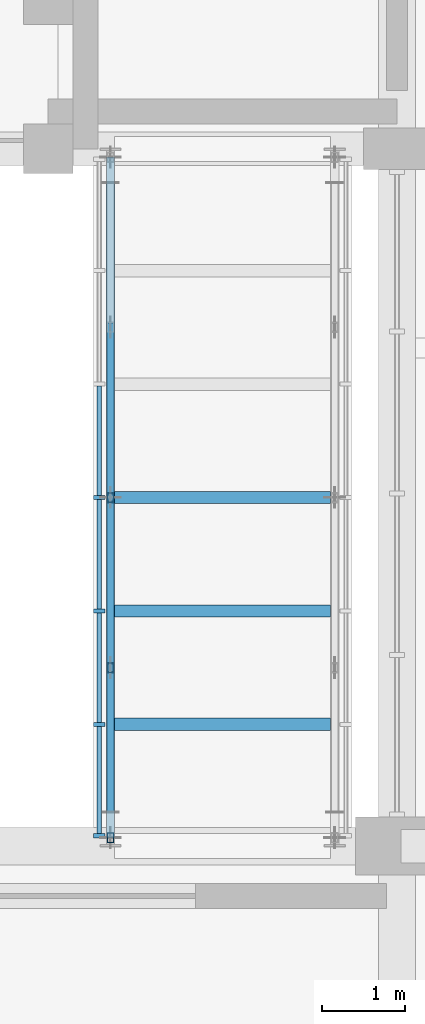
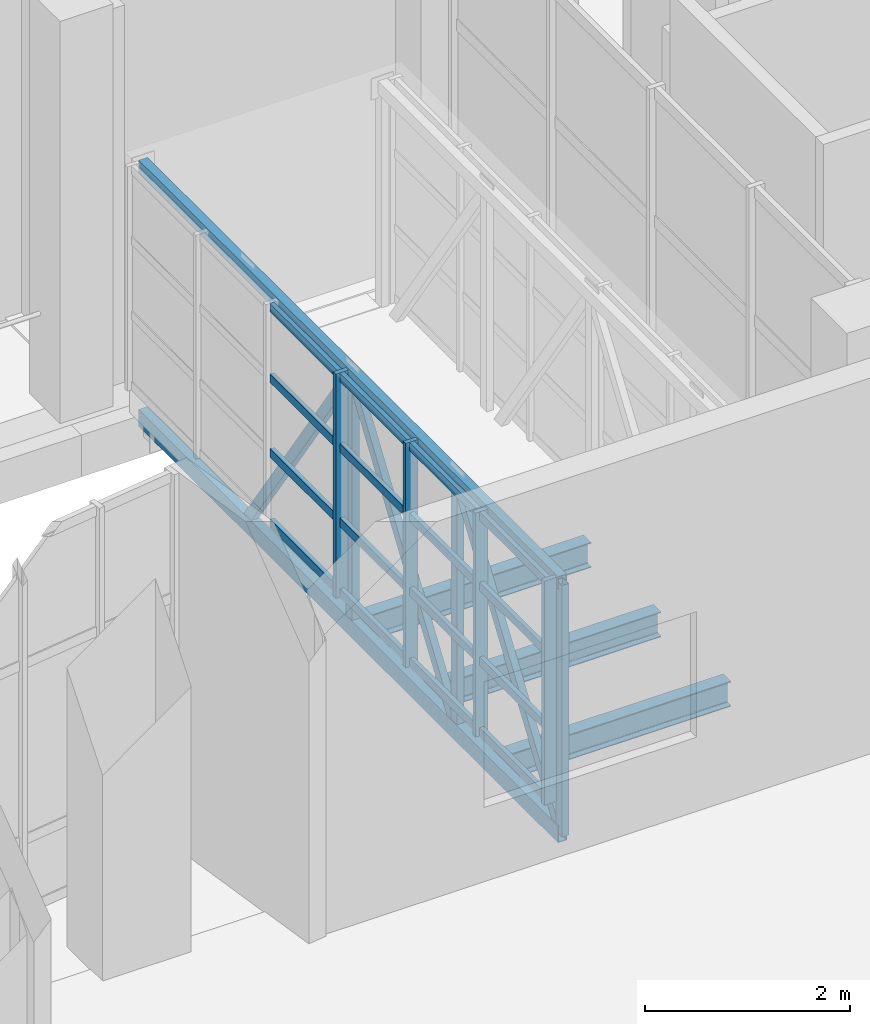
# One storey, part 5 of 86: 28 members, 3 beams, 1 element without a shape of its own.
"""IFC4 building model written with IfcOpenShell, lengths in metres."""

from ifc_helpers import new_model, si_unit, direction, frame, origin, origin_2d, place, context, subcontext, project, spatial, rectangle, hollow_rectangle, i_section, extrude, material, layer, layer_set, material_profile, profile_set, type_object, element, aggregate, save


model = new_model("IFC4")

# Units and contexts
model_context = context("Model", 3, precision=1e-05, world=origin(), true_north=direction((0.0, 1.0)))
body_context = subcontext(model_context, "Body", "Model", "MODEL_VIEW")
ifc_project = project(units=[si_unit("LENGTHUNIT", "METRE"), si_unit("AREAUNIT", "SQUARE_METRE"), si_unit("VOLUMEUNIT", "CUBIC_METRE"), si_unit("PLANEANGLEUNIT", "RADIAN"), si_unit("MASSUNIT", "GRAM", prefix="KILO")], contexts=[model_context])

# Site, building, storey
site_placement = place(None, origin())
site = spatial("IfcSite", under=ifc_project, at=site_placement, CompositionType="ELEMENT")
building_placement = place(site_placement, origin())
building = spatial("IfcBuilding", under=site, at=building_placement, Name="Kiln Court Media Centre", CompositionType="ELEMENT")
storey_placement = place(building_placement, frame((0.0, 0.0, 10.199951171875)))
storey = spatial("IfcBuildingStorey", under=building, at=storey_placement, Name="L02", CompositionType="ELEMENT", Elevation=10.199951171875)

# Curtain wall, members
ifc_material_1 = material(Name="Aluminium 6063-T6", Category="aluminium")
ifc_layer = layer(ifc_material_1, 0.1201171875)
ifc_layer_set = layer_set([ifc_layer], Name="Aluminium unitised curtain wall, bridge")
curtain_wall_type = type_object("IfcCurtainWallType", Name="Aluminium unitised curtain wall, bridge", PredefinedType="USERDEFINED", material=ifc_layer_set)
curtain_wall_placement = place(storey_placement, origin())
curtain_wall = element("IfcCurtainWall", 1, at=curtain_wall_placement, inside=storey, type_object=curtain_wall_type, Name="BR-1 side glazing", ObjectType="UNITISED CURTAIN WALL", PredefinedType="USERDEFINED")
ifc_material_2 = material(Name="Aluminium 6063-T6", Category="aluminium")
ifc_material_profile_1 = material_profile(ifc_material_2, rectangle(XDim=0.050048828125, YDim=0.139892578125, at=origin_2d()), Name="Aluminium hall mullion 50x140")
ifc_profile_set_1 = profile_set([ifc_material_profile_1], Name="Aluminium 6063-T6")
member_type_1 = type_object("IfcMemberType", Name="Aluminium hall mullion 50x140", PredefinedType="MULLION", material=ifc_profile_set_1)
member_1_placement = place(storey_placement, frame((30.014892578125, 25.324951171875, 0.0), z_axis=(0.0, 0.0, 1.0), x_axis=(0.0, 1.0, 0.0)))
member_1 = element("IfcMember", 2, at=member_1_placement, type_object=member_type_1, Name="CW2-63 mullion 1", PredefinedType="MULLION", context=body_context, shape_type="SweptSolid", body=[
    extrude(rectangle(XDim=0.050048828125, YDim=0.139892578125, at=origin_2d()), origin(), (0.0, 0.0, 1.0), 2.675048828125),
])
member_2_placement = place(storey_placement, frame((30.014892578125, 26.666748046875, 0.0), z_axis=(0.0, 0.0, 1.0), x_axis=(0.0, 1.0, 0.0)))
member_2 = element("IfcMember", 3, at=member_2_placement, type_object=member_type_1, Name="CW2-63 mullion 2", PredefinedType="MULLION", context=body_context, shape_type="SweptSolid", body=[
    extrude(rectangle(XDim=0.050048828125, YDim=0.139892578125, at=origin_2d()), origin(), (0.0, 0.0, 1.0), 2.675048828125),
])
member_3_placement = place(storey_placement, frame((30.014892578125, 28.033447265625, 0.0), z_axis=(0.0, 0.0, 1.0), x_axis=(0.0, 1.0, 0.0)))
member_3 = element("IfcMember", 4, at=member_3_placement, type_object=member_type_1, Name="CW2-63 mullion 3", PredefinedType="MULLION", context=body_context, shape_type="SweptSolid", body=[
    extrude(rectangle(XDim=0.050048828125, YDim=0.139892578125, at=origin_2d()), origin(), (0.0, 0.0, 1.0), 2.675048828125),
])
member_4_placement = place(storey_placement, frame((30.014892578125, 29.39990234375, 0.0), z_axis=(0.0, 0.0, 1.0), x_axis=(0.0, 1.0, 0.0)))
member_4 = element("IfcMember", 5, at=member_4_placement, type_object=member_type_1, Name="CW2-63 mullion 4", PredefinedType="MULLION", context=body_context, shape_type="SweptSolid", body=[
    extrude(rectangle(XDim=0.050048828125, YDim=0.139892578125, at=origin_2d()), origin(), (0.0, 0.0, 1.0), 2.675048828125),
])
ifc_material_3 = material(Name="Aluminium 6063-T6", Category="aluminium")
ifc_material_profile_2 = material_profile(ifc_material_3, rectangle(XDim=0.050048828125, YDim=0.10009765625, at=origin_2d()), Name="Aluminium hall transom 50x100")
ifc_profile_set_2 = profile_set([ifc_material_profile_2], Name="Aluminium 6063-T6")
member_type_2 = type_object("IfcMemberType", Name="Aluminium hall transom 50x100", PredefinedType="USERDEFINED", material=ifc_profile_set_2)
member_5_placement = place(storey_placement, frame((30.014892578125, 25.35009765625, 0.050048828125), z_axis=(0.0, 1.0, 0.0), x_axis=(-1.0, 0.0, 0.0)))
member_5 = element("IfcMember", 6, at=member_5_placement, type_object=member_type_2, Name="CW2-63 transom 1.1", ObjectType="TRANSOM", PredefinedType="USERDEFINED", context=body_context, shape_type="SweptSolid", body=[
    extrude(rectangle(XDim=0.050048828125, YDim=0.10009765625, at=origin_2d()), origin(), (0.0, 0.0, 1.0), 1.29150390625),
])
member_6_placement = place(storey_placement, frame((30.014892578125, 25.35009765625, 0.891845703125), z_axis=(0.0, 1.0, 0.0), x_axis=(-1.0, 0.0, 0.0)))
member_6 = element("IfcMember", 7, at=member_6_placement, type_object=member_type_2, Name="CW2-63 transom 1.2", ObjectType="TRANSOM", PredefinedType="USERDEFINED", context=body_context, shape_type="SweptSolid", body=[
    extrude(rectangle(XDim=0.050048828125, YDim=0.10009765625, at=origin_2d()), origin(), (0.0, 0.0, 1.0), 1.29150390625),
])
member_7_placement = place(storey_placement, frame((30.014892578125, 25.35009765625, 1.783447265625), z_axis=(0.0, 1.0, 0.0), x_axis=(-1.0, 0.0, 0.0)))
member_7 = element("IfcMember", 8, at=member_7_placement, type_object=member_type_2, Name="CW2-63 transom 1.3", ObjectType="TRANSOM", PredefinedType="USERDEFINED", context=body_context, shape_type="SweptSolid", body=[
    extrude(rectangle(XDim=0.050048828125, YDim=0.10009765625, at=origin_2d()), origin(), (0.0, 0.0, 1.0), 1.29150390625),
])
member_8_placement = place(storey_placement, frame((30.014892578125, 25.35009765625, 2.625), z_axis=(0.0, 1.0, 0.0), x_axis=(-1.0, 0.0, 0.0)))
member_8 = element("IfcMember", 9, at=member_8_placement, type_object=member_type_2, Name="CW2-63 transom 1.4", ObjectType="TRANSOM", PredefinedType="USERDEFINED", context=body_context, shape_type="SweptSolid", body=[
    extrude(rectangle(XDim=0.050048828125, YDim=0.10009765625, at=origin_2d()), origin(), (0.0, 0.0, 1.0), 1.29150390625),
])
member_9_placement = place(storey_placement, frame((30.014892578125, 26.691650390625, 0.050048828125), z_axis=(0.0, 1.0, 0.0), x_axis=(-1.0, 0.0, 0.0)))
member_9 = element("IfcMember", 10, at=member_9_placement, type_object=member_type_2, Name="CW2-63 transom 2.1", ObjectType="TRANSOM", PredefinedType="USERDEFINED", context=body_context, shape_type="SweptSolid", body=[
    extrude(rectangle(XDim=0.050048828125, YDim=0.10009765625, at=origin_2d()), origin(), (0.0, 0.0, 1.0), 1.316650390625),
])
member_10_placement = place(storey_placement, frame((30.014892578125, 26.691650390625, 0.891845703125), z_axis=(0.0, 1.0, 0.0), x_axis=(-1.0, 0.0, 0.0)))
member_10 = element("IfcMember", 11, at=member_10_placement, type_object=member_type_2, Name="CW2-63 transom 2.2", ObjectType="TRANSOM", PredefinedType="USERDEFINED", context=body_context, shape_type="SweptSolid", body=[
    extrude(rectangle(XDim=0.050048828125, YDim=0.10009765625, at=origin_2d()), origin(), (0.0, 0.0, 1.0), 1.316650390625),
])
member_11_placement = place(storey_placement, frame((30.014892578125, 26.691650390625, 1.783447265625), z_axis=(0.0, 1.0, 0.0), x_axis=(-1.0, 0.0, 0.0)))
member_11 = element("IfcMember", 12, at=member_11_placement, type_object=member_type_2, Name="CW2-63 transom 2.3", ObjectType="TRANSOM", PredefinedType="USERDEFINED", context=body_context, shape_type="SweptSolid", body=[
    extrude(rectangle(XDim=0.050048828125, YDim=0.10009765625, at=origin_2d()), origin(), (0.0, 0.0, 1.0), 1.316650390625),
])
member_12_placement = place(storey_placement, frame((30.014892578125, 26.691650390625, 2.625), z_axis=(0.0, 1.0, 0.0), x_axis=(-1.0, 0.0, 0.0)))
member_12 = element("IfcMember", 13, at=member_12_placement, type_object=member_type_2, Name="CW2-63 transom 2.4", ObjectType="TRANSOM", PredefinedType="USERDEFINED", context=body_context, shape_type="SweptSolid", body=[
    extrude(rectangle(XDim=0.050048828125, YDim=0.10009765625, at=origin_2d()), origin(), (0.0, 0.0, 1.0), 1.316650390625),
])
member_13_placement = place(storey_placement, frame((30.014892578125, 28.058349609375, 0.050048828125), z_axis=(0.0, 1.0, 0.0), x_axis=(-1.0, 0.0, 0.0)))
member_13 = element("IfcMember", 14, at=member_13_placement, type_object=member_type_2, Name="CW2-63 transom 3.1", ObjectType="TRANSOM", PredefinedType="USERDEFINED", context=body_context, shape_type="SweptSolid", body=[
    extrude(rectangle(XDim=0.050048828125, YDim=0.10009765625, at=origin_2d()), origin(), (0.0, 0.0, 1.0), 1.316650390625),
])
member_14_placement = place(storey_placement, frame((30.014892578125, 28.058349609375, 0.891845703125), z_axis=(0.0, 1.0, 0.0), x_axis=(-1.0, 0.0, 0.0)))
member_14 = element("IfcMember", 15, at=member_14_placement, type_object=member_type_2, Name="CW2-63 transom 3.2", ObjectType="TRANSOM", PredefinedType="USERDEFINED", context=body_context, shape_type="SweptSolid", body=[
    extrude(rectangle(XDim=0.050048828125, YDim=0.10009765625, at=origin_2d()), origin(), (0.0, 0.0, 1.0), 1.316650390625),
])
member_15_placement = place(storey_placement, frame((30.014892578125, 28.058349609375, 1.783447265625), z_axis=(0.0, 1.0, 0.0), x_axis=(-1.0, 0.0, 0.0)))
member_15 = element("IfcMember", 16, at=member_15_placement, type_object=member_type_2, Name="CW2-63 transom 3.3", ObjectType="TRANSOM", PredefinedType="USERDEFINED", context=body_context, shape_type="SweptSolid", body=[
    extrude(rectangle(XDim=0.050048828125, YDim=0.10009765625, at=origin_2d()), origin(), (0.0, 0.0, 1.0), 1.316650390625),
])
member_16_placement = place(storey_placement, frame((30.014892578125, 28.058349609375, 2.625), z_axis=(0.0, 1.0, 0.0), x_axis=(-1.0, 0.0, 0.0)))
member_16 = element("IfcMember", 17, at=member_16_placement, type_object=member_type_2, Name="CW2-63 transom 3.4", ObjectType="TRANSOM", PredefinedType="USERDEFINED", context=body_context, shape_type="SweptSolid", body=[
    extrude(rectangle(XDim=0.050048828125, YDim=0.10009765625, at=origin_2d()), origin(), (0.0, 0.0, 1.0), 1.316650390625),
])
member_17_placement = place(storey_placement, frame((30.014892578125, 29.425048828125, 0.050048828125), z_axis=(0.0, 1.0, 0.0), x_axis=(-1.0, 0.0, 0.0)))
member_17 = element("IfcMember", 18, at=member_17_placement, type_object=member_type_2, Name="CW2-63 transom 4.1", ObjectType="TRANSOM", PredefinedType="USERDEFINED", context=body_context, shape_type="SweptSolid", body=[
    extrude(rectangle(XDim=0.050048828125, YDim=0.10009765625, at=origin_2d()), origin(), (0.0, 0.0, 1.0), 1.316650390625),
])
member_18_placement = place(storey_placement, frame((30.014892578125, 29.425048828125, 0.891845703125), z_axis=(0.0, 1.0, 0.0), x_axis=(-1.0, 0.0, 0.0)))
member_18 = element("IfcMember", 19, at=member_18_placement, type_object=member_type_2, Name="CW2-63 transom 4.2", ObjectType="TRANSOM", PredefinedType="USERDEFINED", context=body_context, shape_type="SweptSolid", body=[
    extrude(rectangle(XDim=0.050048828125, YDim=0.10009765625, at=origin_2d()), origin(), (0.0, 0.0, 1.0), 1.316650390625),
])
member_19_placement = place(storey_placement, frame((30.014892578125, 29.425048828125, 1.783447265625), z_axis=(0.0, 1.0, 0.0), x_axis=(-1.0, 0.0, 0.0)))
member_19 = element("IfcMember", 20, at=member_19_placement, type_object=member_type_2, Name="CW2-63 transom 4.3", ObjectType="TRANSOM", PredefinedType="USERDEFINED", context=body_context, shape_type="SweptSolid", body=[
    extrude(rectangle(XDim=0.050048828125, YDim=0.10009765625, at=origin_2d()), origin(), (0.0, 0.0, 1.0), 1.316650390625),
])
member_20_placement = place(storey_placement, frame((30.014892578125, 29.425048828125, 2.625), z_axis=(0.0, 1.0, 0.0), x_axis=(-1.0, 0.0, 0.0)))
member_20 = element("IfcMember", 21, at=member_20_placement, type_object=member_type_2, Name="CW2-63 transom 4.4", ObjectType="TRANSOM", PredefinedType="USERDEFINED", context=body_context, shape_type="SweptSolid", body=[
    extrude(rectangle(XDim=0.050048828125, YDim=0.10009765625, at=origin_2d()), origin(), (0.0, 0.0, 1.0), 1.316650390625),
])
aggregate(curtain_wall, [member_1, member_2, member_3, member_4, member_5, member_6, member_7, member_8, member_9, member_10, member_11, member_12, member_13, member_14, member_15, member_16, member_17, member_18, member_19, member_20])

# Members
ifc_material_4 = material(Name="Steel ASTM A500 Gr C", Category="steel")
ifc_material_profile_3 = material_profile(ifc_material_4, hollow_rectangle(XDim=0.080078125, YDim=0.1201171875, WallThickness=0.00634765625, at=origin_2d()), Name="RHS 120x80x6.3")
ifc_profile_set_3 = profile_set([ifc_material_profile_3], Name="Steel ASTM A500 Gr C")
member_type_3 = type_object("IfcMemberType", Name="Steel ASTM A500 Gr C RHS 120x80x6.3 bridge truss web", PredefinedType="BRACE", material=ifc_profile_set_3)
for number, where, z_axis, x_axis, name in (
    (22, (30.14990234375, 25.300048828125, -0.39990234375), (0.0, 0.0, 1.0), (1.0, 0.0, 0.0), "bridge BR-1 side truss 1 post 1 bridge truss web"),
    (23, (30.14990234375, 27.35009765625, -0.39990234375), (0.0, 0.0, 1.0), (1.0, 0.0, 0.0), "bridge BR-1 side truss 1 post 2 bridge truss web"),
    (24, (30.14990234375, 29.39990234375, -0.39990234375), (0.0, 0.0, 1.0), (1.0, 0.0, 0.0), "bridge BR-1 side truss 1 post 3 bridge truss web"),
):
    element("IfcMember", number, at=place(storey_placement, frame(where, z_axis=z_axis, x_axis=x_axis)), inside=storey, type_object=member_type_3, Name=name, PredefinedType="BRACE", context=body_context, shape_type="SweptSolid", body=[
        extrude(hollow_rectangle(XDim=0.080078125, YDim=0.1201171875, WallThickness=0.00634765625, at=origin_2d()), origin(), (0.0, 0.0, 1.0), 3.0),
    ])
member_21_placement = place(storey_placement, frame((30.14990234375, 25.300048828125, -0.39990234375), z_axis=(0.0, 0.564199665614, 0.825638381691), x_axis=(-1.0, 0.0, 0.0)))
element("IfcMember", 25, at=member_21_placement, inside=storey, type_object=member_type_3, Name="bridge BR-1 side truss 1 diagonal 1 bridge truss web", PredefinedType="BRACE", context=body_context, shape_type="SweptSolid", body=[
    extrude(hollow_rectangle(XDim=0.080078125, YDim=0.1201171875, WallThickness=0.00634765625, at=origin_2d()), origin(), (0.0, 0.0, 1.0), 3.633544921875),
])
member_22_placement = place(storey_placement, frame((30.14990234375, 27.35009765625, -0.39990234375), z_axis=(0.0, 0.56415386059, 0.825669680672), x_axis=(-1.0, 0.0, 0.0)))
element("IfcMember", 26, at=member_22_placement, inside=storey, type_object=member_type_3, Name="bridge BR-1 side truss 1 diagonal 2 bridge truss web", PredefinedType="BRACE", context=body_context, shape_type="SweptSolid", body=[
    extrude(hollow_rectangle(XDim=0.080078125, YDim=0.1201171875, WallThickness=0.00634765625, at=origin_2d()), origin(), (0.0, 0.0, 1.0), 3.63330078125),
])
member_23_placement = place(storey_placement, frame((30.14990234375, 29.39990234375, 2.60009765625), z_axis=(0.0, 0.564199665614, -0.825638381691), x_axis=(-1.0, 0.0, 0.0)))
element("IfcMember", 27, at=member_23_placement, inside=storey, type_object=member_type_3, Name="bridge BR-1 side truss 1 diagonal 3 bridge truss web", PredefinedType="BRACE", context=body_context, shape_type="SweptSolid", body=[
    extrude(hollow_rectangle(XDim=0.080078125, YDim=0.1201171875, WallThickness=0.00634765625, at=origin_2d()), origin(), (0.0, 0.0, 1.0), 3.633544921875),
])
ifc_material_5 = material(Name="Steel ASTM A500 Gr C", Category="steel")
ifc_material_profile_4 = material_profile(ifc_material_5, hollow_rectangle(XDim=0.10009765625, YDim=0.14990234375, WallThickness=0.008056640625, at=origin_2d()), Name="RHS 150x100x8.0")
ifc_profile_set_4 = profile_set([ifc_material_profile_4], Name="Steel ASTM A500 Gr C")
member_type_4 = type_object("IfcMemberType", Name="Steel ASTM A500 Gr C RHS 150x100x8.0 bridge truss chord", PredefinedType="CHORD", material=ifc_profile_set_4)
member_24_placement = place(storey_placement, frame((30.14990234375, 25.300048828125, 2.60009765625), z_axis=(0.0, 1.0, 0.0), x_axis=(-1.0, 0.0, 0.0)))
element("IfcMember", 28, at=member_24_placement, inside=storey, type_object=member_type_4, Name="bridge BR-1 side truss 1 top chord bridge truss chord", PredefinedType="CHORD", context=body_context, shape_type="SweptSolid", body=[
    extrude(hollow_rectangle(XDim=0.10009765625, YDim=0.14990234375, WallThickness=0.008056640625, at=origin_2d()), origin(), (0.0, 0.0, 1.0), 8.199951171875),
])
ifc_material_6 = material(Name="Steel ASTM A500 Gr C", Category="steel")
ifc_material_profile_5 = material_profile(ifc_material_6, hollow_rectangle(XDim=0.10009765625, YDim=0.199951171875, WallThickness=0.008056640625, at=origin_2d()), Name="RHS 200x100x8.0")
ifc_profile_set_5 = profile_set([ifc_material_profile_5], Name="Steel ASTM A500 Gr C")
member_type_5 = type_object("IfcMemberType", Name="Steel ASTM A500 Gr C RHS 200x100x8.0 bridge truss chord", PredefinedType="CHORD", material=ifc_profile_set_5)
member_25_placement = place(storey_placement, frame((30.14990234375, 25.300048828125, -0.39990234375), z_axis=(0.0, 1.0, 0.0), x_axis=(-1.0, 0.0, 0.0)))
element("IfcMember", 29, at=member_25_placement, inside=storey, type_object=member_type_5, Name="bridge BR-1 side truss 1 bottom chord bridge truss chord", PredefinedType="CHORD", context=body_context, shape_type="SweptSolid", body=[
    extrude(hollow_rectangle(XDim=0.10009765625, YDim=0.199951171875, WallThickness=0.008056640625, at=origin_2d()), origin(), (0.0, 0.0, 1.0), 8.199951171875),
])

# Beams
ifc_material_7 = material(Name="Steel ASTM A572 Gr 50", Category="steel")
ifc_material_profile_6 = material_profile(ifc_material_7, i_section(OverallWidth=0.14990234375, OverallDepth=0.300048828125, WebThickness=0.007080078125, FlangeThickness=0.0107421875, FilletRadius=0.014892578125, at=origin_2d()), Name="IPE 300")
ifc_profile_set_6 = profile_set([ifc_material_profile_6], Name="Steel ASTM A572 Gr 50")
beam_type = type_object("IfcBeamType", Name="Steel ASTM A572 Gr 50 IPE 300 bridge floor beam", PredefinedType="BEAM", material=ifc_profile_set_6)
for number, where, z_axis, x_axis, name in (
    (30, (30.199951171875, 26.666748046875, -0.449951171875), (1.0, 0.0, 0.0), (0.0, 1.0, 0.0), "bridge BR-1 floor beam 1 bridge floor beam"),
    (31, (30.199951171875, 28.033203125, -0.449951171875), (1.0, 0.0, 0.0), (0.0, 1.0, 0.0), "bridge BR-1 floor beam 2 bridge floor beam"),
    (32, (30.199951171875, 29.39990234375, -0.449951171875), (1.0, 0.0, 0.0), (0.0, 1.0, 0.0), "bridge BR-1 floor beam 3 bridge floor beam"),
):
    element("IfcBeam", number, at=place(storey_placement, frame(where, z_axis=z_axis, x_axis=x_axis)), inside=storey, type_object=beam_type, Name=name, PredefinedType="BEAM", context=body_context, shape_type="SweptSolid", body=[
        extrude(i_section(OverallWidth=0.14990234375, OverallDepth=0.300048828125, WebThickness=0.007080078125, FlangeThickness=0.0107421875, FilletRadius=0.014892578125, at=origin_2d()), origin(), (0.0, 0.0, 1.0), 2.60009765625),
    ])

save(model, "model.ifc")
